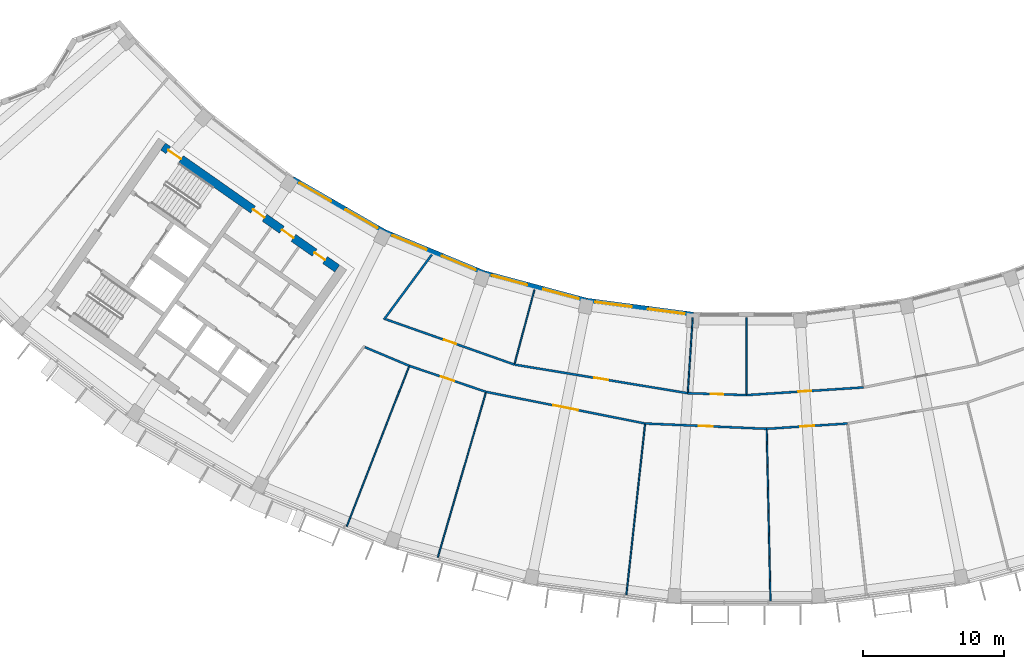
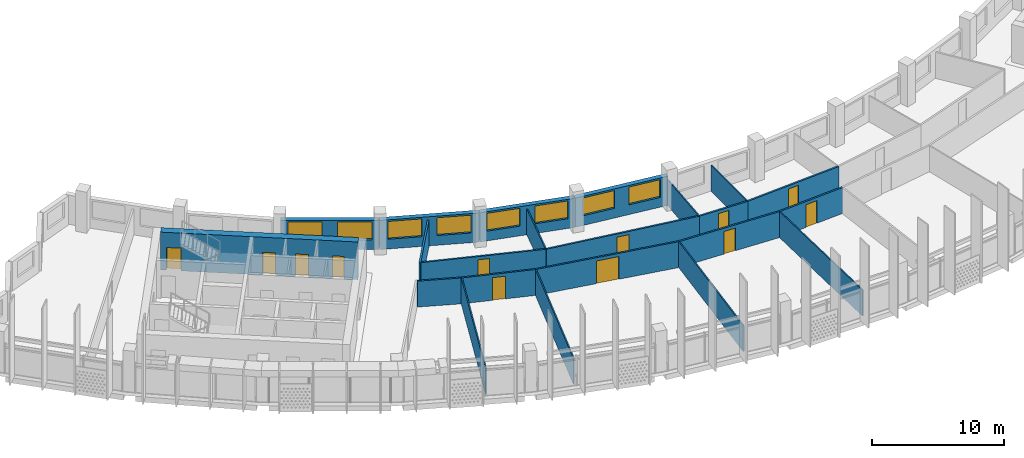
# One storey, part 4 of 28: 22 walls, 12 doors, 8 windows, 20 openings.
"""IFC4 building model written with IfcOpenShell, lengths in metres."""

from ifc_helpers import new_model, si_unit, direction, frame, frame_2d, origin, place, context, subcontext, project, spatial, rectangle, extrude, material, layer, layer_set, type_object, element, fill, save


model = new_model("IFC4")

# Units and contexts
model_context = context("Model", 3, precision=1e-05, world=origin(), true_north=direction((0.0, 1.0)))
body_context = subcontext(model_context, "Body", "Model", "MODEL_VIEW")
ifc_project = project(units=[si_unit("LENGTHUNIT", "METRE"), si_unit("AREAUNIT", "SQUARE_METRE"), si_unit("VOLUMEUNIT", "CUBIC_METRE"), si_unit("PLANEANGLEUNIT", "RADIAN"), si_unit("MASSUNIT", "GRAM", prefix="KILO")], contexts=[model_context])

# Site, building, storey
site_placement = place(None, origin())
site = spatial("IfcSite", under=ifc_project, at=site_placement, CompositionType="ELEMENT")
building_placement = place(site_placement, origin())
building = spatial("IfcBuilding", under=site, at=building_placement, Name="Qamariyya Broadcast Tower", CompositionType="ELEMENT")
storey_placement = place(building_placement, frame((0.0, 0.0, 265.699951171875)))
storey = spatial("IfcBuildingStorey", under=building, at=storey_placement, Name="L64", CompositionType="ELEMENT", Elevation=265.699951171875)

# Wall, openings, doors
ifc_material_1 = material(Name="Concrete C60/75", Category="concrete")
ifc_layer_1 = layer(ifc_material_1, 0.60009765625)
ifc_layer_set_1 = layer_set([ifc_layer_1], Name="Core wall 600 mm Concrete C60/75")
wall_type_1 = type_object("IfcWallType", Name="Core wall 600 mm Concrete C60/75", PredefinedType="SHEAR", material=ifc_layer_set_1)
wall_1_placement = place(storey_placement, frame((-28.940673828125, -54.447021484375, 0.0), z_axis=(0.0, 0.0, 1.0), x_axis=(-0.819153391756, 0.573574511963, 0.0)))
wall_1 = element("IfcWall", 1, at=wall_1_placement, inside=storey, type_object=wall_type_1, Name="k-W-L64-WI", PredefinedType="SHEAR", context=body_context, shape_type="SweptSolid", body=[
    extrude(rectangle(XDim=15.04541015625, YDim=0.60009765625, at=frame_2d((7.522705078125, 0.0))), origin(), (0.0, 0.0, 1.0), 3.5),
])
opening_1_placement = place(wall_1_placement, frame((1.050048828125, 0.0, 0.0)))
opening_1 = element("IfcOpeningElement", 2, at=opening_1_placement, cuts=wall_1, Name="Opening KD5-W1", PredefinedType="OPENING", context=body_context, shape_type="SweptSolid", body=[
    extrude(rectangle(XDim=0.89990234375, YDim=2.10009765625, at=frame_2d((0.449951171875, 1.050048828125))), frame((0.0, 0.31005859375, 0.0), z_axis=(0.0, -1.0, 0.0), x_axis=(1.0, 0.0, 0.0)), (0.0, 0.0, 1.0), 0.6201171875),
])
opening_2_placement = place(wall_1_placement, frame((3.77490234375, 0.0, 0.0)))
opening_2 = element("IfcOpeningElement", 3, at=opening_2_placement, cuts=wall_1, Name="Opening KD7-W1", PredefinedType="OPENING", context=body_context, shape_type="SweptSolid", body=[
    extrude(rectangle(XDim=1.0, YDim=2.10009765625, at=frame_2d((0.5, 1.050048828125))), frame((0.0, 0.31005859375, 0.0), z_axis=(0.0, -1.0, 0.0), x_axis=(1.0, 0.0, 0.0)), (0.0, 0.0, 1.0), 0.6201171875),
])
opening_3_placement = place(wall_1_placement, frame((6.27490234375, 0.0, 0.0)))
opening_3 = element("IfcOpeningElement", 4, at=opening_3_placement, cuts=wall_1, Name="Opening KD6-W3", PredefinedType="OPENING", context=body_context, shape_type="SweptSolid", body=[
    extrude(rectangle(XDim=1.0, YDim=2.10009765625, at=frame_2d((0.5, 1.050048828125))), frame((0.0, 0.31005859375, 0.0), z_axis=(0.0, -1.0, 0.0), x_axis=(1.0, 0.0, 0.0)), (0.0, 0.0, 1.0), 0.6201171875),
])
opening_4_placement = place(wall_1_placement, frame((13.495361328125, 0.0, 0.0)))
opening_4 = element("IfcOpeningElement", 5, at=opening_4_placement, cuts=wall_1, Name="Opening KD1-W1", PredefinedType="OPENING", context=body_context, shape_type="SweptSolid", body=[
    extrude(rectangle(XDim=1.10009765625, YDim=2.10009765625, at=frame_2d((0.550048828125, 1.050048828125))), frame((0.0, 0.31005859375, 0.0), z_axis=(0.0, -1.0, 0.0), x_axis=(1.0, 0.0, 0.0)), (0.0, 0.0, 1.0), 0.6201171875),
])
ifc_material_2 = material(Name="Steel fire-resisting door leaf", Category="steel")
door_type_1 = type_object("IfcDoorType", Name="Accessible toilet door KD7", OperationType="SINGLE_SWING_LEFT", PredefinedType="DOOR", material=ifc_material_2)
door_1_placement = place(opening_2_placement, origin())
door_1 = element("IfcDoor", 6, at=door_1_placement, inside=storey, type_object=door_type_1, Name="k-W-L64-WI-D9", OperationType="SINGLE_SWING_RIGHT", OverallHeight=2.10009765625, OverallWidth=1.0, PredefinedType="DOOR", context=body_context, shape_type="SweptSolid", body=[
    extrude(rectangle(XDim=1.0, YDim=2.10009765625, at=frame_2d((0.5, 1.050048828125))), frame((0.0, 0.02490234375, 0.0), z_axis=(0.0, -1.0, 0.0), x_axis=(1.0, 0.0, 0.0)), (0.0, 0.0, 1.0), 0.050048828125),
])
fill(opening_2, door_1)
door_type_2 = type_object("IfcDoorType", Name="Core room door KD6", OperationType="SINGLE_SWING_LEFT", PredefinedType="DOOR", material=ifc_material_2)
door_2_placement = place(opening_3_placement, origin())
door_2 = element("IfcDoor", 7, at=door_2_placement, inside=storey, type_object=door_type_2, Name="k-W-L64-WI-D10", OperationType="SINGLE_SWING_LEFT", OverallHeight=2.10009765625, OverallWidth=1.0, PredefinedType="DOOR", context=body_context, shape_type="SweptSolid", body=[
    extrude(rectangle(XDim=1.0, YDim=2.10009765625, at=frame_2d((0.5, 1.050048828125))), frame((0.0, 0.02490234375, 0.0), z_axis=(0.0, -1.0, 0.0), x_axis=(1.0, 0.0, 0.0)), (0.0, 0.0, 1.0), 0.050048828125),
])
fill(opening_3, door_2)
door_type_3 = type_object("IfcDoorType", Name="Stair door KD1", OperationType="SINGLE_SWING_LEFT", PredefinedType="DOOR", material=ifc_material_2)
door_3_placement = place(opening_4_placement, origin())
door_3 = element("IfcDoor", 8, at=door_3_placement, inside=storey, type_object=door_type_3, Name="k-W-L64-WI-D17", OperationType="SINGLE_SWING_RIGHT", OverallHeight=2.10009765625, OverallWidth=1.10009765625, PredefinedType="DOOR", context=body_context, shape_type="SweptSolid", body=[
    extrude(rectangle(XDim=1.10009765625, YDim=2.10009765625, at=frame_2d((0.550048828125, 1.050048828125))), frame((0.0, 0.02490234375, 0.0), z_axis=(0.0, -1.0, 0.0), x_axis=(1.0, 0.0, 0.0)), (0.0, 0.0, 1.0), 0.050048828125),
])
fill(opening_4, door_3)
door_type_4 = type_object("IfcDoorType", Name="Toilet door KD5", OperationType="SINGLE_SWING_LEFT", PredefinedType="DOOR", material=ifc_material_2)
door_4_placement = place(opening_1_placement, origin())
door_4 = element("IfcDoor", 9, at=door_4_placement, inside=storey, type_object=door_type_4, Name="k-W-L64-WI-D8", OperationType="SINGLE_SWING_LEFT", OverallHeight=2.10009765625, OverallWidth=0.89990234375, PredefinedType="DOOR", context=body_context, shape_type="SweptSolid", body=[
    extrude(rectangle(XDim=0.89990234375, YDim=2.10009765625, at=frame_2d((0.449951171875, 1.050048828125))), frame((0.0, 0.02490234375, 0.0), z_axis=(0.0, -1.0, 0.0), x_axis=(1.0, 0.0, 0.0)), (0.0, 0.0, 1.0), 0.050048828125),
])
fill(opening_1, door_4)

# Wall
ifc_material_3 = material(Name="Gypsum board partition")
ifc_layer_2 = layer(ifc_material_3, 0.14990234375)
ifc_layer_set_2 = layer_set([ifc_layer_2], Name="Corridor partition 150 EI 60")
wall_type_2 = type_object("IfcWallType", Name="Corridor partition 150 EI 60", PredefinedType="PARTITIONING", material=ifc_layer_set_2)
wall_2_placement = place(storey_placement, frame((-26.98828125, -60.008544921875, 0.0), z_axis=(0.0, 0.0, 1.0), x_axis=(0.922124291828, -0.386893771494, 0.0)))
element("IfcWall", 10, at=wall_2_placement, inside=storey, type_object=wall_type_2, Name="Partition L64-004", PredefinedType="PARTITIONING", context=body_context, shape_type="SweptSolid", body=[
    extrude(rectangle(XDim=3.406982421875, YDim=0.14990234375, at=frame_2d((1.70361328125, 0.0))), origin(), (0.0, 0.0, 1.0), 2.400146484375),
])

# Wall, opening, door
wall_3_placement = place(storey_placement, frame((-25.52734375, -58.027587890625, 0.0), z_axis=(0.0, 0.0, 1.0), x_axis=(0.94318552037, -0.332266570941, 0.0)))
wall_3 = element("IfcWall", 11, at=wall_3_placement, inside=storey, type_object=wall_type_2, Name="Partition L64-005", PredefinedType="PARTITIONING", context=body_context, shape_type="SweptSolid", body=[
    extrude(rectangle(XDim=9.66748046875, YDim=0.14990234375, at=frame_2d((4.833740234375, 0.0))), origin(), (0.0, 0.0, 1.0), 2.400146484375),
])
opening_5_placement = place(wall_3_placement, frame((4.3837890625, 0.0, 0.0)))
opening_5 = element("IfcOpeningElement", 12, at=opening_5_placement, cuts=wall_3, Name="Opening L64-D08", PredefinedType="OPENING", context=body_context, shape_type="SweptSolid", body=[
    extrude(rectangle(XDim=0.89990234375, YDim=2.10009765625, at=frame_2d((0.449951171875, 1.050048828125))), frame((0.0, 0.0849609375, 0.0), z_axis=(0.0, -1.0, 0.0), x_axis=(1.0, 0.0, 0.0)), (0.0, 0.0, 1.0), 0.169921875),
])
ifc_material_4 = material(Name="Timber fire door leaf", Category="wood")
door_type_5 = type_object("IfcDoorType", Name="Fire door 900 x 2100 FD60", OperationType="NOTDEFINED", PredefinedType="DOOR", material=ifc_material_4)
door_5_placement = place(opening_5_placement, origin())
door_5 = element("IfcDoor", 13, at=door_5_placement, inside=storey, type_object=door_type_5, Name="Door L64-D08", OperationType="SINGLE_SWING_RIGHT", OverallHeight=2.10009765625, OverallWidth=0.89990234375, PredefinedType="DOOR", context=body_context, shape_type="SweptSolid", body=[
    extrude(rectangle(XDim=0.89990234375, YDim=2.10009765625, at=frame_2d((0.449951171875, 1.050048828125))), frame((0.0, 0.02490234375, 0.0), z_axis=(0.0, -1.0, 0.0), x_axis=(1.0, 0.0, 0.0)), (0.0, 0.0, 1.0), 0.050048828125),
])
fill(opening_5, door_5)

wall_4_placement = place(storey_placement, frame((-18.41455078125, -63.170654296875, 0.0), z_axis=(0.0, 0.0, 1.0), x_axis=(-0.94692828042, 0.32144491245, 0.0)))
wall_4 = element("IfcWall", 14, at=wall_4_placement, inside=storey, type_object=wall_type_2, Name="Partition L64-006", PredefinedType="PARTITIONING", context=body_context, shape_type="SweptSolid", body=[
    extrude(rectangle(XDim=5.736572265625, YDim=0.14990234375, at=frame_2d((2.8681640625, 0.0))), origin(), (0.0, 0.0, 1.0), 2.400146484375),
])
opening_6_placement = place(wall_4_placement, frame((2.368408203125, 0.0, 0.0)))
opening_6 = element("IfcOpeningElement", 15, at=opening_6_placement, cuts=wall_4, Name="Opening L64-D02", PredefinedType="OPENING", context=body_context, shape_type="SweptSolid", body=[
    extrude(rectangle(XDim=1.0, YDim=2.10009765625, at=frame_2d((0.5, 1.050048828125))), frame((0.0, 0.0849609375, 0.0), z_axis=(0.0, -1.0, 0.0), x_axis=(1.0, 0.0, 0.0)), (0.0, 0.0, 1.0), 0.169921875),
])
door_type_6 = type_object("IfcDoorType", Name="Fire door 1000 x 2100 FD60", OperationType="NOTDEFINED", PredefinedType="DOOR", material=ifc_material_4)
door_6_placement = place(opening_6_placement, origin())
door_6 = element("IfcDoor", 16, at=door_6_placement, inside=storey, type_object=door_type_6, Name="Door L64-D02", OperationType="SINGLE_SWING_RIGHT", OverallHeight=2.10009765625, OverallWidth=1.0, PredefinedType="DOOR", context=body_context, shape_type="SweptSolid", body=[
    extrude(rectangle(XDim=1.0, YDim=2.10009765625, at=frame_2d((0.5, 1.050048828125))), frame((0.0, 0.02490234375, 0.0), z_axis=(0.0, -1.0, 0.0), x_axis=(1.0, 0.0, 0.0)), (0.0, 0.0, 1.0), 0.050048828125),
])
fill(opening_6, door_6)

# Wall
wall_5_placement = place(storey_placement, frame((-22.251953125, -53.469482421875, 0.0), z_axis=(0.0, 0.0, 1.0), x_axis=(-0.593872728047, -0.804558999006, 0.0)))
element("IfcWall", 17, at=wall_5_placement, inside=storey, type_object=wall_type_2, Name="Partition L64-007", PredefinedType="PARTITIONING", context=body_context, shape_type="SweptSolid", body=[
    extrude(rectangle(XDim=5.709228515625, YDim=0.14990234375, at=frame_2d((2.8544921875, 0.0))), origin(), (0.0, 0.0, 1.0), 2.400146484375),
])

# Wall, opening, door
wall_6_placement = place(storey_placement, frame((-7.16162109375, -65.4091796875, 0.0), z_axis=(0.0, 0.0, 1.0), x_axis=(-0.980782303344, 0.195105288106, 0.0)))
wall_6 = element("IfcWall", 18, at=wall_6_placement, inside=storey, type_object=wall_type_2, Name="Partition L64-009", PredefinedType="PARTITIONING", context=body_context, shape_type="SweptSolid", body=[
    extrude(rectangle(XDim=11.473388671875, YDim=0.14990234375, at=frame_2d((5.73681640625, 0.0))), origin(), (0.0, 0.0, 1.0), 2.400146484375),
])
opening_7_placement = place(wall_6_placement, frame((4.836669921875, 0.0, 0.0)))
opening_7 = element("IfcOpeningElement", 19, at=opening_7_placement, cuts=wall_6, Name="Opening L64-D03", PredefinedType="OPENING", context=body_context, shape_type="SweptSolid", body=[
    extrude(rectangle(XDim=1.800048828125, YDim=2.10009765625, at=frame_2d((0.89990234375, 1.050048828125))), frame((0.0, 0.0849609375, 0.0), z_axis=(0.0, -1.0, 0.0), x_axis=(1.0, 0.0, 0.0)), (0.0, 0.0, 1.0), 0.169921875),
])
door_type_7 = type_object("IfcDoorType", Name="Double fire door 1800 x 2100 FD60", OperationType="NOTDEFINED", PredefinedType="DOOR", material=ifc_material_4)
door_7_placement = place(opening_7_placement, origin())
door_7 = element("IfcDoor", 20, at=door_7_placement, inside=storey, type_object=door_type_7, Name="Door L64-D03", OperationType="DOUBLE_DOOR_SINGLE_SWING", OverallHeight=2.10009765625, OverallWidth=1.800048828125, PredefinedType="DOOR", context=body_context, shape_type="SweptSolid", body=[
    extrude(rectangle(XDim=1.800048828125, YDim=2.10009765625, at=frame_2d((0.89990234375, 1.050048828125))), frame((0.0, 0.02490234375, 0.0), z_axis=(0.0, -1.0, 0.0), x_axis=(1.0, 0.0, 0.0)), (0.0, 0.0, 1.0), 0.050048828125),
])
fill(opening_7, door_7)

wall_7_placement = place(storey_placement, frame((-16.4091796875, -61.23974609375, 0.0), z_axis=(0.0, 0.0, 1.0), x_axis=(0.986645467323, -0.162882539919, 0.0)))
wall_7 = element("IfcWall", 21, at=wall_7_placement, inside=storey, type_object=wall_type_2, Name="Partition L64-010", PredefinedType="PARTITIONING", context=body_context, shape_type="SweptSolid", body=[
    extrude(rectangle(XDim=12.4287109375, YDim=0.14990234375, at=frame_2d((6.21435546875, 0.0))), origin(), (0.0, 0.0, 1.0), 2.400146484375),
])
opening_8_placement = place(wall_7_placement, frame((5.71435546875, 0.0, 0.0)))
opening_8 = element("IfcOpeningElement", 22, at=opening_8_placement, cuts=wall_7, Name="Opening L64-D09", PredefinedType="OPENING", context=body_context, shape_type="SweptSolid", body=[
    extrude(rectangle(XDim=1.0, YDim=2.10009765625, at=frame_2d((0.5, 1.050048828125))), frame((0.0, 0.0849609375, 0.0), z_axis=(0.0, -1.0, 0.0), x_axis=(1.0, 0.0, 0.0)), (0.0, 0.0, 1.0), 0.169921875),
])
door_8_placement = place(opening_8_placement, origin())
door_8 = element("IfcDoor", 23, at=door_8_placement, inside=storey, type_object=door_type_6, Name="Door L64-D09", OperationType="SINGLE_SWING_RIGHT", OverallHeight=2.10009765625, OverallWidth=1.0, PredefinedType="DOOR", context=body_context, shape_type="SweptSolid", body=[
    extrude(rectangle(XDim=1.0, YDim=2.10009765625, at=frame_2d((0.5, 1.050048828125))), frame((0.0, 0.02490234375, 0.0), z_axis=(0.0, -1.0, 0.0), x_axis=(1.0, 0.0, 0.0)), (0.0, 0.0, 1.0), 0.050048828125),
])
fill(opening_8, door_8)

wall_8_placement = place(storey_placement, frame((1.437255859375, -65.7841796875, 0.0), z_axis=(0.0, 0.0, 1.0), x_axis=(-0.999050423115, 0.043568934724, 0.0)))
wall_8 = element("IfcWall", 24, at=wall_8_placement, inside=storey, type_object=wall_type_2, Name="Partition L64-013", PredefinedType="PARTITIONING", context=body_context, shape_type="SweptSolid", body=[
    extrude(rectangle(XDim=8.60693359375, YDim=0.14990234375, at=frame_2d((4.303466796875, 0.0))), origin(), (0.0, 0.0, 1.0), 2.400146484375),
])
opening_9_placement = place(wall_8_placement, frame((3.803466796875, 0.0, 0.0)))
opening_9 = element("IfcOpeningElement", 25, at=opening_9_placement, cuts=wall_8, Name="Opening L64-D04", PredefinedType="OPENING", context=body_context, shape_type="SweptSolid", body=[
    extrude(rectangle(XDim=1.0, YDim=2.10009765625, at=frame_2d((0.5, 1.050048828125))), frame((0.0, 0.0849609375, 0.0), z_axis=(0.0, -1.0, 0.0), x_axis=(1.0, 0.0, 0.0)), (0.0, 0.0, 1.0), 0.169921875),
])
door_9_placement = place(opening_9_placement, origin())
door_9 = element("IfcDoor", 26, at=door_9_placement, inside=storey, type_object=door_type_6, Name="Door L64-D04", OperationType="SINGLE_SWING_RIGHT", OverallHeight=2.10009765625, OverallWidth=1.0, PredefinedType="DOOR", context=body_context, shape_type="SweptSolid", body=[
    extrude(rectangle(XDim=1.0, YDim=2.10009765625, at=frame_2d((0.5, 1.050048828125))), frame((0.0, 0.02490234375, 0.0), z_axis=(0.0, -1.0, 0.0), x_axis=(1.0, 0.0, 0.0)), (0.0, 0.0, 1.0), 0.050048828125),
])
fill(opening_9, door_9)

wall_9_placement = place(storey_placement, frame((-4.146484375, -63.26416015625, 0.0), z_axis=(0.0, 0.0, 1.0), x_axis=(0.999464584765, -0.032719165634, 0.0)))
wall_9 = element("IfcWall", 27, at=wall_9_placement, inside=storey, type_object=wall_type_2, Name="Partition L64-014", PredefinedType="PARTITIONING", context=body_context, shape_type="SweptSolid", body=[
    extrude(rectangle(XDim=4.148681640625, YDim=0.14990234375, at=frame_2d((2.07421875, 0.0))), origin(), (0.0, 0.0, 1.0), 2.400146484375),
])
opening_10_placement = place(wall_9_placement, frame((1.62451171875, 0.0, 0.0)))
opening_10 = element("IfcOpeningElement", 28, at=opening_10_placement, cuts=wall_9, Name="Opening L64-D10", PredefinedType="OPENING", context=body_context, shape_type="SweptSolid", body=[
    extrude(rectangle(XDim=0.89990234375, YDim=2.10009765625, at=frame_2d((0.449951171875, 1.050048828125))), frame((0.0, 0.0849609375, 0.0), z_axis=(0.0, -1.0, 0.0), x_axis=(1.0, 0.0, 0.0)), (0.0, 0.0, 1.0), 0.169921875),
])
door_10_placement = place(opening_10_placement, origin())
door_10 = element("IfcDoor", 29, at=door_10_placement, inside=storey, type_object=door_type_5, Name="Door L64-D10", OperationType="SINGLE_SWING_RIGHT", OverallHeight=2.10009765625, OverallWidth=0.89990234375, PredefinedType="DOOR", context=body_context, shape_type="SweptSolid", body=[
    extrude(rectangle(XDim=0.89990234375, YDim=2.10009765625, at=frame_2d((0.449951171875, 1.050048828125))), frame((0.0, 0.02490234375, 0.0), z_axis=(0.0, -1.0, 0.0), x_axis=(1.0, 0.0, 0.0)), (0.0, 0.0, 1.0), 0.050048828125),
])
fill(opening_10, door_10)

wall_10_placement = place(storey_placement, frame((0.0, -63.39990234375, 0.0), z_axis=(0.0, 0.0, 1.0), x_axis=(0.997860193426, 0.065383747038, 0.0)))
wall_10 = element("IfcWall", 30, at=wall_10_placement, inside=storey, type_object=wall_type_2, Name="Partition L64-016", PredefinedType="PARTITIONING", context=body_context, shape_type="SweptSolid", body=[
    extrude(rectangle(XDim=8.293212890625, YDim=0.14990234375, at=frame_2d((4.146484375, 0.0))), origin(), (0.0, 0.0, 1.0), 2.400146484375),
])
opening_11_placement = place(wall_10_placement, frame((3.696533203125, 0.0, 0.0)))
opening_11 = element("IfcOpeningElement", 31, at=opening_11_placement, cuts=wall_10, Name="Opening L64-D11", PredefinedType="OPENING", context=body_context, shape_type="SweptSolid", body=[
    extrude(rectangle(XDim=0.89990234375, YDim=2.10009765625, at=frame_2d((0.449951171875, 1.050048828125))), frame((0.0, 0.0849609375, 0.0), z_axis=(0.0, -1.0, 0.0), x_axis=(1.0, 0.0, 0.0)), (0.0, 0.0, 1.0), 0.169921875),
])
door_11_placement = place(opening_11_placement, origin())
door_11 = element("IfcDoor", 32, at=door_11_placement, inside=storey, type_object=door_type_5, Name="Door L64-D11", OperationType="SINGLE_SWING_RIGHT", OverallHeight=2.10009765625, OverallWidth=0.89990234375, PredefinedType="DOOR", context=body_context, shape_type="SweptSolid", body=[
    extrude(rectangle(XDim=0.89990234375, YDim=2.10009765625, at=frame_2d((0.449951171875, 1.050048828125))), frame((0.0, 0.02490234375, 0.0), z_axis=(0.0, -1.0, 0.0), x_axis=(1.0, 0.0, 0.0)), (0.0, 0.0, 1.0), 0.050048828125),
])
fill(opening_11, door_11)

wall_11_placement = place(storey_placement, frame((7.16162109375, -65.4091796875, 0.0), z_axis=(0.0, 0.0, 1.0), x_axis=(-0.997861137906, -0.065369331165, 0.0)))
wall_11 = element("IfcWall", 33, at=wall_11_placement, inside=storey, type_object=wall_type_2, Name="Partition L64-018", PredefinedType="PARTITIONING", context=body_context, shape_type="SweptSolid", body=[
    extrude(rectangle(XDim=5.736572265625, YDim=0.14990234375, at=frame_2d((2.8681640625, 0.0))), origin(), (0.0, 0.0, 1.0), 2.400146484375),
])
opening_12_placement = place(wall_11_placement, frame((2.368408203125, 0.0, 0.0)))
opening_12 = element("IfcOpeningElement", 34, at=opening_12_placement, cuts=wall_11, Name="Opening L64-D05", PredefinedType="OPENING", context=body_context, shape_type="SweptSolid", body=[
    extrude(rectangle(XDim=1.0, YDim=2.10009765625, at=frame_2d((0.5, 1.050048828125))), frame((0.0, 0.0849609375, 0.0), z_axis=(0.0, -1.0, 0.0), x_axis=(1.0, 0.0, 0.0)), (0.0, 0.0, 1.0), 0.169921875),
])
door_12_placement = place(opening_12_placement, origin())
door_12 = element("IfcDoor", 35, at=door_12_placement, inside=storey, type_object=door_type_6, Name="Door L64-D05", OperationType="SINGLE_SWING_RIGHT", OverallHeight=2.10009765625, OverallWidth=1.0, PredefinedType="DOOR", context=body_context, shape_type="SweptSolid", body=[
    extrude(rectangle(XDim=1.0, YDim=2.10009765625, at=frame_2d((0.5, 1.050048828125))), frame((0.0, 0.02490234375, 0.0), z_axis=(0.0, -1.0, 0.0), x_axis=(1.0, 0.0, 0.0)), (0.0, 0.0, 1.0), 0.050048828125),
])
fill(opening_12, door_12)

# Walls
ifc_layer_3 = layer(ifc_material_3, 0.10009765625)
ifc_layer_set_3 = layer_set([ifc_layer_3], Name="Partition 100")
wall_type_3 = type_object("IfcWallType", Name="Partition 100", PredefinedType="PARTITIONING", material=ifc_layer_set_3)
wall_12_placement = place(storey_placement, frame((-28.2685546875, -72.6982421875, 0.0), z_axis=(0.0, 0.0, 1.0), x_axis=(0.362410311337, 0.932018651228, 0.0)))
element("IfcWall", 36, at=wall_12_placement, inside=storey, type_object=wall_type_3, Name="Partition L64-002", PredefinedType="PARTITIONING", context=body_context, shape_type="SweptSolid", body=[
    extrude(rectangle(XDim=12.125732421875, YDim=0.10009765625, at=frame_2d((6.06298828125, 0.0))), origin(), (0.0, 0.0, 1.0), 2.400146484375),
])
wall_13_placement = place(storey_placement, frame((-21.8291015625, -74.884033203125, 0.0), z_axis=(0.0, 0.0, 1.0), x_axis=(0.279860058942, 0.960040805075, 0.0)))
element("IfcWall", 37, at=wall_13_placement, inside=storey, type_object=wall_type_3, Name="Partition L64-008", PredefinedType="PARTITIONING", context=body_context, shape_type="SweptSolid", body=[
    extrude(rectangle(XDim=12.1259765625, YDim=0.10009765625, at=frame_2d((6.06298828125, 0.0))), origin(), (0.0, 0.0, 1.0), 2.400146484375),
])
wall_14_placement = place(storey_placement, frame((-14.992431640625, -55.952880859375, 0.0), z_axis=(0.0, 0.0, 1.0), x_axis=(-0.258825000964, -0.965924230401, 0.0)))
element("IfcWall", 38, at=wall_14_placement, inside=storey, type_object=wall_type_3, Name="Partition L64-011", PredefinedType="PARTITIONING", context=body_context, shape_type="SweptSolid", body=[
    extrude(rectangle(XDim=5.398193359375, YDim=0.10009765625, at=frame_2d((2.69921875, 0.0))), origin(), (0.0, 0.0, 1.0), 2.400146484375),
])
wall_15_placement = place(storey_placement, frame((-8.489501953125, -77.53759765625, 0.0), z_axis=(0.0, 0.0, 1.0), x_axis=(0.108842544862, 0.994059002488, 0.0)))
element("IfcWall", 39, at=wall_15_placement, inside=storey, type_object=wall_type_3, Name="Partition L64-012", PredefinedType="PARTITIONING", context=body_context, shape_type="SweptSolid", body=[
    extrude(rectangle(XDim=12.1259765625, YDim=0.10009765625, at=frame_2d((6.06298828125, 0.0))), origin(), (0.0, 0.0, 1.0), 2.400146484375),
])
wall_16_placement = place(storey_placement, frame((-3.796630859375, -57.92578125, 0.0), z_axis=(0.0, 0.0, 1.0), x_axis=(-0.065397734607, -0.997859276806, 0.0)))
element("IfcWall", 40, at=wall_16_placement, inside=storey, type_object=wall_type_3, Name="Partition L64-015", PredefinedType="PARTITIONING", context=body_context, shape_type="SweptSolid", body=[
    extrude(rectangle(XDim=5.27490234375, YDim=0.10009765625, at=frame_2d((2.637451171875, 0.0))), origin(), (0.0, 0.0, 1.0), 2.400146484375),
])
wall_17_placement = place(storey_placement, frame((0.0, -57.926513671875, 0.0), z_axis=(0.0, 0.0, 1.0), x_axis=(0.0, -1.0, 0.0)))
element("IfcWall", 41, at=wall_17_placement, inside=storey, type_object=wall_type_3, Name="Partition L64-017", PredefinedType="PARTITIONING", context=body_context, shape_type="SweptSolid", body=[
    extrude(rectangle(XDim=5.3984375, YDim=0.10009765625, at=frame_2d((2.69921875, 0.0))), origin(), (0.0, 0.0, 1.0), 2.400146484375),
])
wall_18_placement = place(storey_placement, frame((1.703857421875, -77.982177734375, 0.0), z_axis=(0.0, 0.0, 1.0), x_axis=(-0.02184555579, 0.999761357371, 0.0)))
element("IfcWall", 42, at=wall_18_placement, inside=storey, type_object=wall_type_3, Name="Partition L64-019", PredefinedType="PARTITIONING", context=body_context, shape_type="SweptSolid", body=[
    extrude(rectangle(XDim=12.125732421875, YDim=0.10009765625, at=frame_2d((6.06298828125, 0.0))), origin(), (0.0, 0.0, 1.0), 2.400146484375),
])

# Wall, openings, windows
ifc_material_5 = material(Name="Terracotta", Category="masonry")
ifc_layer_4 = layer(ifc_material_5, 0.39990234375)
ifc_layer_set_4 = layer_set([ifc_layer_4], Name="Terracotta clad wall 400")
wall_type_4 = type_object("IfcWallType", Name="Terracotta clad wall 400", PredefinedType="SOLIDWALL", material=ifc_layer_set_4)
wall_19_placement = place(storey_placement, frame((-25.630615234375, -51.859130859375, 0.0), z_axis=(0.0, 0.0, 1.0), x_axis=(-0.866016763373, 0.500014965334, 0.0)))
wall_19 = element("IfcWall", 43, at=wall_19_placement, inside=storey, type_object=wall_type_4, Name="e-wl-L64-in30", PredefinedType="SOLIDWALL", context=body_context, shape_type="SweptSolid", body=[
    extrude(rectangle(XDim=7.465576171875, YDim=0.39990234375, at=frame_2d((3.73291015625, 0.0))), origin(), (0.0, 0.0, 1.0), 2.699951171875),
])
opening_13_placement = place(wall_19_placement, frame((4.318115234375, 0.0, 0.89990234375)))
opening_13 = element("IfcOpeningElement", 44, at=opening_13_placement, cuts=wall_19, Name="Opening W1", PredefinedType="OPENING", context=body_context, shape_type="SweptSolid", body=[
    extrude(rectangle(XDim=2.60009765625, YDim=1.64990234375, at=frame_2d((1.300048828125, 0.824951171875))), frame((0.0, 0.2099609375, 0.0), z_axis=(0.0, -1.0, 0.0), x_axis=(1.0, 0.0, 0.0)), (0.0, 0.0, 1.0), 0.419921875),
])
opening_14_placement = place(wall_19_placement, frame((0.547607421875, 0.0, 0.89990234375)))
opening_14 = element("IfcOpeningElement", 45, at=opening_14_placement, cuts=wall_19, Name="Opening W1", PredefinedType="OPENING", context=body_context, shape_type="SweptSolid", body=[
    extrude(rectangle(XDim=2.60009765625, YDim=1.64990234375, at=frame_2d((1.300048828125, 0.824951171875))), frame((0.0, 0.2099609375, 0.0), z_axis=(0.0, -1.0, 0.0), x_axis=(1.0, 0.0, 0.0)), (0.0, 0.0, 1.0), 0.419921875),
])
ifc_material_6 = material(Name="Clear low-e double glazed unit in aluminium frame", Category="aluminium")
window_type = type_object("IfcWindowType", Name="Ribbon window 2600 x 1650", PartitioningType="SINGLE_PANEL", PredefinedType="WINDOW", material=ifc_material_6)
window_1_placement = place(opening_13_placement, origin())
window_1 = element("IfcWindow", 46, at=window_1_placement, inside=storey, type_object=window_type, Name="e-w-L64-in03-0", OverallHeight=1.64990234375, OverallWidth=2.60009765625, PartitioningType="SINGLE_PANEL", PredefinedType="WINDOW", context=body_context, shape_type="SweptSolid", body=[
    extrude(rectangle(XDim=2.60009765625, YDim=1.64990234375, at=frame_2d((1.300048828125, 0.824951171875))), frame((0.0, 0.030029296875, 0.0), z_axis=(0.0, -1.0, 0.0), x_axis=(1.0, 0.0, 0.0)), (0.0, 0.0, 1.0), 0.06005859375),
])
fill(opening_13, window_1)
window_2_placement = place(opening_14_placement, origin())
window_2 = element("IfcWindow", 47, at=window_2_placement, inside=storey, type_object=window_type, Name="e-w-L64-in03-1", OverallHeight=1.64990234375, OverallWidth=2.60009765625, PartitioningType="SINGLE_PANEL", PredefinedType="WINDOW", context=body_context, shape_type="SweptSolid", body=[
    extrude(rectangle(XDim=2.60009765625, YDim=1.64990234375, at=frame_2d((1.300048828125, 0.824951171875))), frame((0.0, 0.030029296875, 0.0), z_axis=(0.0, -1.0, 0.0), x_axis=(1.0, 0.0, 0.0)), (0.0, 0.0, 1.0), 0.06005859375),
])
fill(opening_14, window_2)

wall_20_placement = place(storey_placement, frame((-18.572265625, -54.789794921875, 0.0), z_axis=(0.0, 0.0, 1.0), x_axis=(-0.923887531937, 0.382664119472, 0.0)))
wall_20 = element("IfcWall", 48, at=wall_20_placement, inside=storey, type_object=wall_type_4, Name="e-wl-L64-in40", PredefinedType="SOLIDWALL", context=body_context, shape_type="SweptSolid", body=[
    extrude(rectangle(XDim=7.6171875, YDim=0.39990234375, at=frame_2d((3.80859375, 0.0))), origin(), (0.0, 0.0, 1.0), 2.699951171875),
])
opening_15_placement = place(wall_20_placement, frame((4.393798828125, 0.0, 0.89990234375)))
opening_15 = element("IfcOpeningElement", 49, at=opening_15_placement, cuts=wall_20, Name="Opening W1", PredefinedType="OPENING", context=body_context, shape_type="SweptSolid", body=[
    extrude(rectangle(XDim=2.60009765625, YDim=1.64990234375, at=frame_2d((1.300048828125, 0.824951171875))), frame((0.0, 0.2099609375, 0.0), z_axis=(0.0, -1.0, 0.0), x_axis=(1.0, 0.0, 0.0)), (0.0, 0.0, 1.0), 0.419921875),
])
opening_16_placement = place(wall_20_placement, frame((0.623291015625, 0.0, 0.89990234375)))
opening_16 = element("IfcOpeningElement", 50, at=opening_16_placement, cuts=wall_20, Name="Opening W1", PredefinedType="OPENING", context=body_context, shape_type="SweptSolid", body=[
    extrude(rectangle(XDim=2.60009765625, YDim=1.64990234375, at=frame_2d((1.300048828125, 0.824951171875))), frame((0.0, 0.2099609375, 0.0), z_axis=(0.0, -1.0, 0.0), x_axis=(1.0, 0.0, 0.0)), (0.0, 0.0, 1.0), 0.419921875),
])
window_3_placement = place(opening_15_placement, origin())
window_3 = element("IfcWindow", 51, at=window_3_placement, inside=storey, type_object=window_type, Name="e-w-L64-in04-0", OverallHeight=1.64990234375, OverallWidth=2.60009765625, PartitioningType="SINGLE_PANEL", PredefinedType="WINDOW", context=body_context, shape_type="SweptSolid", body=[
    extrude(rectangle(XDim=2.60009765625, YDim=1.64990234375, at=frame_2d((1.300048828125, 0.824951171875))), frame((0.0, 0.030029296875, 0.0), z_axis=(0.0, -1.0, 0.0), x_axis=(1.0, 0.0, 0.0)), (0.0, 0.0, 1.0), 0.06005859375),
])
fill(opening_15, window_3)
window_4_placement = place(opening_16_placement, origin())
window_4 = element("IfcWindow", 52, at=window_4_placement, inside=storey, type_object=window_type, Name="e-w-L64-in04-1", OverallHeight=1.64990234375, OverallWidth=2.60009765625, PartitioningType="SINGLE_PANEL", PredefinedType="WINDOW", context=body_context, shape_type="SweptSolid", body=[
    extrude(rectangle(XDim=2.60009765625, YDim=1.64990234375, at=frame_2d((1.300048828125, 0.824951171875))), frame((0.0, 0.030029296875, 0.0), z_axis=(0.0, -1.0, 0.0), x_axis=(1.0, 0.0, 0.0)), (0.0, 0.0, 1.0), 0.06005859375),
])
fill(opening_16, window_4)

wall_21_placement = place(storey_placement, frame((-11.3349609375, -56.725830078125, 0.0), z_axis=(0.0, 0.0, 1.0), x_axis=(-0.965923236695, 0.258828709406, 0.0)))
wall_21 = element("IfcWall", 53, at=wall_21_placement, inside=storey, type_object=wall_type_4, Name="e-wl-L64-in50", PredefinedType="SOLIDWALL", context=body_context, shape_type="SweptSolid", body=[
    extrude(rectangle(XDim=7.4658203125, YDim=0.39990234375, at=frame_2d((3.73291015625, 0.0))), origin(), (0.0, 0.0, 1.0), 2.699951171875),
])
opening_17_placement = place(wall_21_placement, frame((4.318115234375, 0.0, 0.89990234375)))
opening_17 = element("IfcOpeningElement", 54, at=opening_17_placement, cuts=wall_21, Name="Opening W1", PredefinedType="OPENING", context=body_context, shape_type="SweptSolid", body=[
    extrude(rectangle(XDim=2.60009765625, YDim=1.64990234375, at=frame_2d((1.300048828125, 0.824951171875))), frame((0.0, 0.2099609375, 0.0), z_axis=(0.0, -1.0, 0.0), x_axis=(1.0, 0.0, 0.0)), (0.0, 0.0, 1.0), 0.419921875),
])
opening_18_placement = place(wall_21_placement, frame((0.547607421875, 0.0, 0.89990234375)))
opening_18 = element("IfcOpeningElement", 55, at=opening_18_placement, cuts=wall_21, Name="Opening W1", PredefinedType="OPENING", context=body_context, shape_type="SweptSolid", body=[
    extrude(rectangle(XDim=2.60009765625, YDim=1.64990234375, at=frame_2d((1.300048828125, 0.824951171875))), frame((0.0, 0.2099609375, 0.0), z_axis=(0.0, -1.0, 0.0), x_axis=(1.0, 0.0, 0.0)), (0.0, 0.0, 1.0), 0.419921875),
])
window_5_placement = place(opening_17_placement, origin())
window_5 = element("IfcWindow", 56, at=window_5_placement, inside=storey, type_object=window_type, Name="e-w-L64-in05-0", OverallHeight=1.64990234375, OverallWidth=2.60009765625, PartitioningType="SINGLE_PANEL", PredefinedType="WINDOW", context=body_context, shape_type="SweptSolid", body=[
    extrude(rectangle(XDim=2.60009765625, YDim=1.64990234375, at=frame_2d((1.300048828125, 0.824951171875))), frame((0.0, 0.030029296875, 0.0), z_axis=(0.0, -1.0, 0.0), x_axis=(1.0, 0.0, 0.0)), (0.0, 0.0, 1.0), 0.06005859375),
])
fill(opening_17, window_5)
window_6_placement = place(opening_18_placement, origin())
window_6 = element("IfcWindow", 57, at=window_6_placement, inside=storey, type_object=window_type, Name="e-w-L64-in05-1", OverallHeight=1.64990234375, OverallWidth=2.60009765625, PartitioningType="SINGLE_PANEL", PredefinedType="WINDOW", context=body_context, shape_type="SweptSolid", body=[
    extrude(rectangle(XDim=2.60009765625, YDim=1.64990234375, at=frame_2d((1.300048828125, 0.824951171875))), frame((0.0, 0.030029296875, 0.0), z_axis=(0.0, -1.0, 0.0), x_axis=(1.0, 0.0, 0.0)), (0.0, 0.0, 1.0), 0.06005859375),
])
fill(opening_18, window_6)

wall_22_placement = place(storey_placement, frame((-3.7587890625, -57.729736328125, 0.0), z_axis=(0.0, 0.0, 1.0), x_axis=(-0.991446548217, 0.130513378733, 0.0)))
wall_22 = element("IfcWall", 58, at=wall_22_placement, inside=storey, type_object=wall_type_4, Name="e-wl-L64-in60", PredefinedType="SOLIDWALL", context=body_context, shape_type="SweptSolid", body=[
    extrude(rectangle(XDim=7.6171875, YDim=0.39990234375, at=frame_2d((3.80859375, 0.0))), origin(), (0.0, 0.0, 1.0), 2.699951171875),
])
opening_19_placement = place(wall_22_placement, frame((4.393798828125, 0.0, 0.89990234375)))
opening_19 = element("IfcOpeningElement", 59, at=opening_19_placement, cuts=wall_22, Name="Opening W1", PredefinedType="OPENING", context=body_context, shape_type="SweptSolid", body=[
    extrude(rectangle(XDim=2.60009765625, YDim=1.64990234375, at=frame_2d((1.300048828125, 0.824951171875))), frame((0.0, 0.2099609375, 0.0), z_axis=(0.0, -1.0, 0.0), x_axis=(1.0, 0.0, 0.0)), (0.0, 0.0, 1.0), 0.419921875),
])
opening_20_placement = place(wall_22_placement, frame((0.623291015625, 0.0, 0.89990234375)))
opening_20 = element("IfcOpeningElement", 60, at=opening_20_placement, cuts=wall_22, Name="Opening W1", PredefinedType="OPENING", context=body_context, shape_type="SweptSolid", body=[
    extrude(rectangle(XDim=2.60009765625, YDim=1.64990234375, at=frame_2d((1.300048828125, 0.824951171875))), frame((0.0, 0.2099609375, 0.0), z_axis=(0.0, -1.0, 0.0), x_axis=(1.0, 0.0, 0.0)), (0.0, 0.0, 1.0), 0.419921875),
])
window_7_placement = place(opening_19_placement, origin())
window_7 = element("IfcWindow", 61, at=window_7_placement, inside=storey, type_object=window_type, Name="e-w-L64-in06-0", OverallHeight=1.64990234375, OverallWidth=2.60009765625, PartitioningType="SINGLE_PANEL", PredefinedType="WINDOW", context=body_context, shape_type="SweptSolid", body=[
    extrude(rectangle(XDim=2.60009765625, YDim=1.64990234375, at=frame_2d((1.300048828125, 0.824951171875))), frame((0.0, 0.030029296875, 0.0), z_axis=(0.0, -1.0, 0.0), x_axis=(1.0, 0.0, 0.0)), (0.0, 0.0, 1.0), 0.06005859375),
])
fill(opening_19, window_7)
window_8_placement = place(opening_20_placement, origin())
window_8 = element("IfcWindow", 62, at=window_8_placement, inside=storey, type_object=window_type, Name="e-w-L64-in06-1", OverallHeight=1.64990234375, OverallWidth=2.60009765625, PartitioningType="SINGLE_PANEL", PredefinedType="WINDOW", context=body_context, shape_type="SweptSolid", body=[
    extrude(rectangle(XDim=2.60009765625, YDim=1.64990234375, at=frame_2d((1.300048828125, 0.824951171875))), frame((0.0, 0.030029296875, 0.0), z_axis=(0.0, -1.0, 0.0), x_axis=(1.0, 0.0, 0.0)), (0.0, 0.0, 1.0), 0.06005859375),
])
fill(opening_20, window_8)

save(model, "model.ifc")
